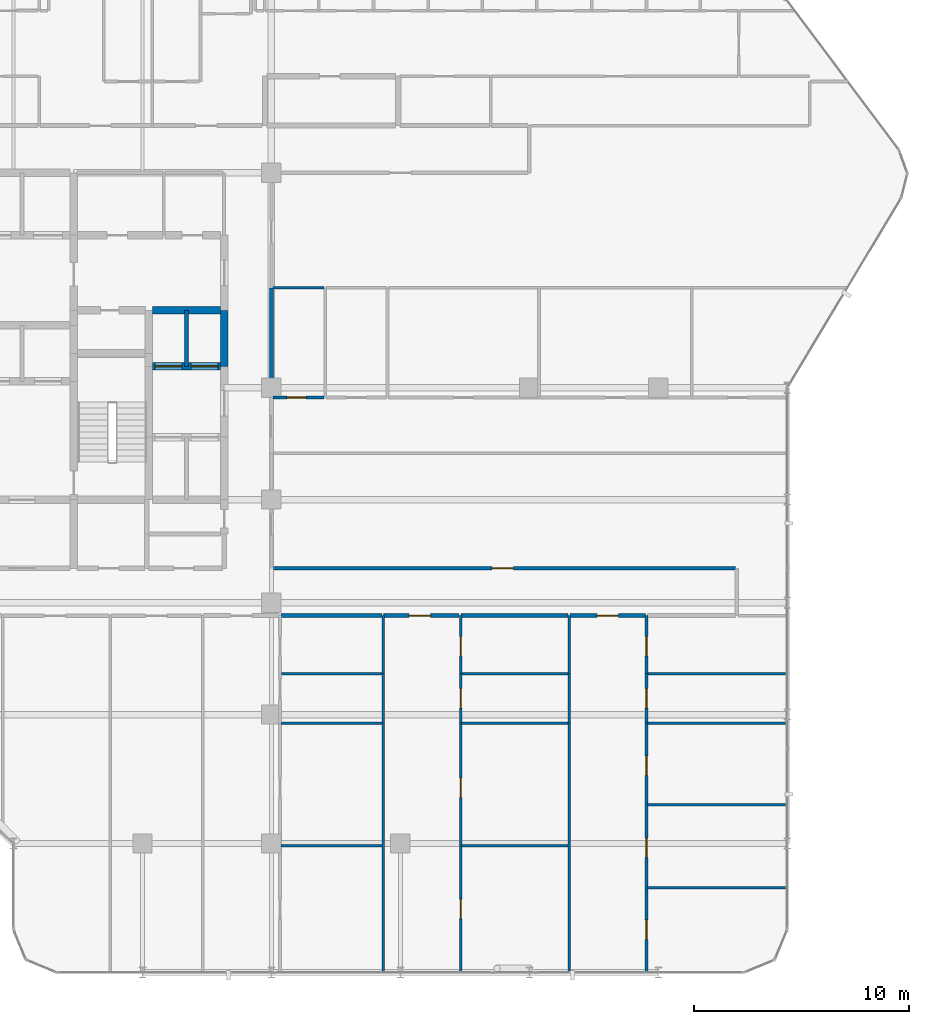
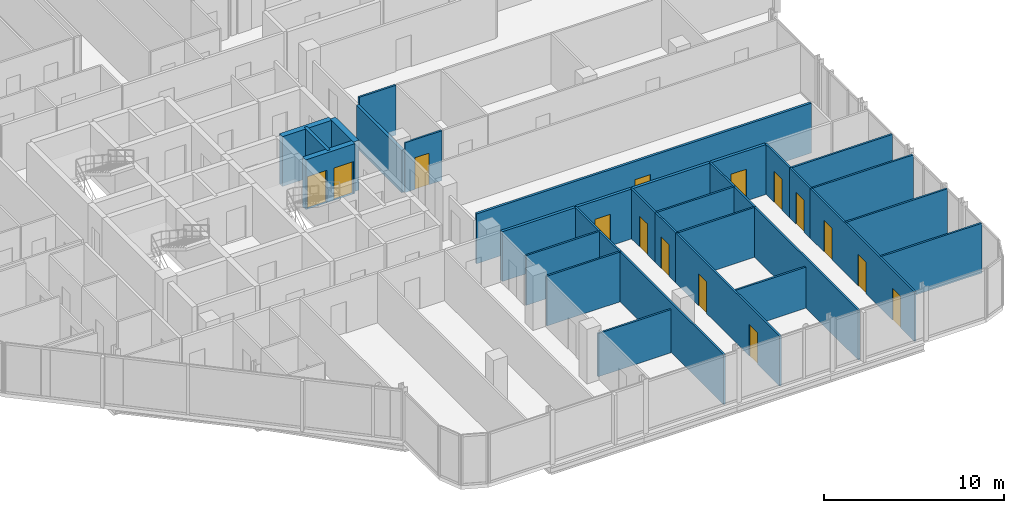
# One storey, part 27 of 31: 34 walls, 15 doors, 15 openings.
"""IFC4 building model written with IfcOpenShell, lengths in metres."""

import ifcopenshell
import ifcopenshell.guid

model = None  # the IFC model being written
_history = None  # IfcOwnerHistory: only IFC2X3 demands one
_inside = {}  # id of a spatial element -> (the spatial element, [elements in it])
_under = {}  # id of a project, library or spatial element -> (it, [spatial elements below it])
_declared = {}  # id of a project -> (the project, [libraries it declares])
_typed = {}  # id of a type object -> (the type object, [elements of that type])
_made_of = {}  # id of a material, layer set ... -> (it, [elements and type objects made of it])


def new_model(schema):
    """Start an empty IFC model of exactly this schema.

    Asked for "IFC4X3", IfcOpenShell would pick the latest addendum, in which some entities
    have other attributes; the version numbers below select the first issue.
    IFC2X3 requires an IfcOwnerHistory on every rooted entity: one is made here for all.
    """
    global model, _history
    if schema == "IFC4X3":
        model = ifcopenshell.file(schema_version=(4, 3, 0, 0))
    else:
        model = ifcopenshell.file(schema=schema)
    _inside.clear()
    _under.clear()
    _declared.clear()
    _typed.clear()
    _made_of.clear()
    _history = None
    if model.schema == "IFC2X3":
        org = make("IfcOrganization", Name="unknown")
        user = make(
            "IfcPersonAndOrganization",
            ThePerson=make("IfcPerson", FamilyName="unknown"),
            TheOrganization=org,
        )
        app = make(
            "IfcApplication",
            ApplicationDeveloper=org,
            Version="unknown",
            ApplicationFullName="unknown",
            ApplicationIdentifier="unknown",
        )
        _history = make(
            "IfcOwnerHistory",
            OwningUser=user,
            OwningApplication=app,
            ChangeAction="ADDED",
            CreationDate=0,
        )
    return model


def make(cls, **values):
    """One entity of the class cls with the attributes given. An attribute that is None is left unset."""
    return model.create_entity(
        cls, **{name: value for name, value in values.items() if value is not None}
    )


def rooted(cls, **values):
    """An entity with a GlobalId (a new one), such as an element, a storey or a relation."""
    return make(cls, GlobalId=ifcopenshell.guid.new(), OwnerHistory=_history, **values)


def si_unit(unit_type, name, prefix=None):
    """IfcSIUnit, for example si_unit("LENGTHUNIT", "METRE", prefix="MILLI")."""
    return make("IfcSIUnit", UnitType=unit_type, Prefix=prefix, Name=name)


def assignment(units):
    """IfcUnitAssignment: the units of a project."""
    return None if units is None else make("IfcUnitAssignment", Units=units)


def point(xyz):
    """IfcCartesianPoint."""
    return None if xyz is None else make("IfcCartesianPoint", Coordinates=xyz)


def direction(xyz):
    """IfcDirection."""
    return None if xyz is None else make("IfcDirection", DirectionRatios=xyz)


def frame(location, z_axis=None, x_axis=None):
    """IfcAxis2Placement3D, a coordinate frame: its origin and axes. An axis left out is left unset."""
    return make(
        "IfcAxis2Placement3D",
        Location=point(location),
        Axis=direction(z_axis),
        RefDirection=direction(x_axis),
    )


def frame_2d(location, x_axis=None):
    """IfcAxis2Placement2D, a coordinate frame in the plane: its origin and x axis."""
    return make(
        "IfcAxis2Placement2D", Location=point(location), RefDirection=direction(x_axis)
    )


def origin():
    """The frame at (0, 0, 0) with its axes left unset."""
    return frame((0.0, 0.0, 0.0))


def place(relative_to, where):
    """IfcLocalPlacement: puts the frame where relative to a parent placement (None: the world)."""
    return make(
        "IfcLocalPlacement", PlacementRelTo=relative_to, RelativePlacement=where
    )


def context(
    kind, dimensions, precision=None, world=None, true_north=None, identifier=None
):
    """IfcGeometricRepresentationContext, for example the 3D "Model" context."""
    return make(
        "IfcGeometricRepresentationContext",
        ContextIdentifier=identifier,
        ContextType=kind,
        CoordinateSpaceDimension=dimensions,
        Precision=precision,
        WorldCoordinateSystem=world,
        TrueNorth=true_north,
    )


def subcontext(parent, identifier, kind, view, scale=None):
    """IfcGeometricRepresentationSubContext, for example "Body" below "Model"."""
    return make(
        "IfcGeometricRepresentationSubContext",
        ContextIdentifier=identifier,
        ContextType=kind,
        ParentContext=parent,
        TargetScale=scale,
        TargetView=view,
    )


def project(units=None, contexts=None):
    """IfcProject with its units and contexts."""
    return rooted(
        "IfcProject",
        Name="project",
        RepresentationContexts=contexts,
        UnitsInContext=assignment(units),
    )


def spatial(cls, under=None, at=None, **own):
    """A site, building, storey or space (cls), placed at a placement, below another one or the project."""
    s = rooted(cls, ObjectPlacement=at, **own)
    if under is not None:
        _under.setdefault(under.id(), (under, []))[1].append(s)
    return s


def profile(cls, at=None, kind="AREA", **sizes):
    """A parametric profile (cls). Its sizes go by their IFC names, for example OverallWidth=200.0."""
    return make(cls, ProfileType=kind, Position=at, **sizes)


def rectangle(**sizes):
    """IfcRectangleProfileDef."""
    return profile("IfcRectangleProfileDef", **sizes)


def extrude(swept, where, along, depth):
    """IfcExtrudedAreaSolid: the profile swept, set in the frame where, extruded along a direction by depth."""
    return make(
        "IfcExtrudedAreaSolid",
        SweptArea=swept,
        Position=where,
        ExtrudedDirection=direction(along),
        Depth=depth,
    )


def shape(context_of_items, identifier, shape_type, items):
    """IfcShapeRepresentation: the items that make up one representation, for example the "Body"."""
    return make(
        "IfcShapeRepresentation",
        ContextOfItems=context_of_items,
        RepresentationIdentifier=identifier,
        RepresentationType=shape_type,
        Items=items,
    )


def material(Name=None, Category=None):
    """IfcMaterial."""
    return make("IfcMaterial", Name=Name, Category=Category)


def layer(
    of_material, thickness, ventilated=None, Name=None, Category=None, Priority=None
):
    """IfcMaterialLayer: one layer of a wall or slab, of a material (None: an air gap)."""
    return make(
        "IfcMaterialLayer",
        Material=of_material,
        LayerThickness=thickness,
        IsVentilated=ventilated,
        Name=Name,
        Category=Category,
        Priority=Priority,
    )


def layer_set(layers, Name=None):
    """IfcMaterialLayerSet."""
    return make("IfcMaterialLayerSet", MaterialLayers=layers, LayerSetName=Name)


def made_of(thing, what):
    """Note that an element or type object is made of a material, layer set ...; save() writes the relation."""
    if what is not None:
        _made_of.setdefault(what.id(), (what, []))[1].append(thing)
    return thing


def type_object(cls, material=None, **own):
    """A type object (cls), such as IfcWallType, which elements share."""
    return made_of(rooted(cls, **own), material)


def element(
    cls,
    number,
    at=None,
    inside=None,
    cuts=None,
    type_object=None,
    material=None,
    context=None,
    identifier="Body",
    shape_type=None,
    held_by="IfcProductDefinitionShape",
    body=None,
    shapes=None,
    **own,
):
    """One element of the class cls, such as IfcWall. Its Tag is "e" and its number.

    at: its placement. inside: the storey or other place that contains it. cuts: it is an
    opening in that element (IfcRelVoidsElement). A single representation is given by context,
    identifier, shape_type and body (its items); several are given by shapes. held_by: the class
    of the entity that holds the representations. save() writes the other relations.
    """
    e = rooted(cls, Tag="e%d" % number, ObjectPlacement=at, **own)
    if body is not None:
        shapes = [shape(context, identifier, shape_type, body)]
    if shapes is not None:
        e.Representation = make(held_by, Representations=shapes)
    if inside is not None:
        _inside.setdefault(inside.id(), (inside, []))[1].append(e)
    if cuts is not None:
        rooted(
            "IfcRelVoidsElement", RelatingBuildingElement=cuts, RelatedOpeningElement=e
        )
    if type_object is not None:
        _typed.setdefault(type_object.id(), (type_object, []))[1].append(e)
    return made_of(e, material)


def fill(opening, filler):
    """IfcRelFillsElement: the door or window that sits in an opening."""
    return rooted(
        "IfcRelFillsElement",
        RelatingOpeningElement=opening,
        RelatedBuildingElement=filler,
    )


def aggregate(whole, parts):
    """IfcRelAggregates: a whole, such as a stair, and the parts it consists of."""
    return rooted("IfcRelAggregates", RelatingObject=whole, RelatedObjects=parts)


def save(model, path):
    """Write the relations noted so far, then the file.

    IfcRelAggregates (storeys below a building ...), IfcRelContainedInSpatialStructure (elements
    in a storey), IfcRelDefinesByType, IfcRelAssociatesMaterial and IfcRelDeclares: one each for
    every whole, place, type object, material and project.
    """
    for whole, parts in _under.values():
        aggregate(whole, parts)
    for where, things in _inside.values():
        rooted(
            "IfcRelContainedInSpatialStructure",
            RelatedElements=things,
            RelatingStructure=where,
        )
    for kind, things in _typed.values():
        rooted("IfcRelDefinesByType", RelatedObjects=things, RelatingType=kind)
    for what, things in _made_of.values():
        rooted("IfcRelAssociatesMaterial", RelatedObjects=things, RelatingMaterial=what)
    for by, libraries in _declared.values():
        rooted("IfcRelDeclares", RelatingContext=by, RelatedDefinitions=libraries)
    model.write(path)


model = new_model("IFC4")

# Units and contexts
model_context = context("Model", 3, precision=1e-05, world=origin(), true_north=direction((0.0, 1.0)))
body_context = subcontext(model_context, "Body", "Model", "MODEL_VIEW")
ifc_project = project(units=[si_unit("LENGTHUNIT", "METRE"), si_unit("AREAUNIT", "SQUARE_METRE"), si_unit("VOLUMEUNIT", "CUBIC_METRE"), si_unit("PLANEANGLEUNIT", "RADIAN"), si_unit("MASSUNIT", "GRAM", prefix="KILO")], contexts=[model_context])

# Site, building, storey
site_placement = place(None, origin())
site = spatial("IfcSite", under=ifc_project, at=site_placement, CompositionType="ELEMENT")
building_placement = place(site_placement, origin())
building = spatial("IfcBuilding", under=site, at=building_placement, Name="Keshet Zoharim Tower", CompositionType="ELEMENT")
storey_placement = place(building_placement, frame((0.0, 0.0, 148.300048828125)))
storey = spatial("IfcBuildingStorey", under=building, at=storey_placement, Name="L36", CompositionType="ELEMENT", Elevation=148.300048828125)

# Wall, opening, door
ifc_material_1 = material(Name="Gypsum Plasterboard", Category="gypsum")
ifc_layer_1 = layer(ifc_material_1, 0.14990234375)
ifc_layer_set_1 = layer_set([ifc_layer_1], Name="Gypsum Plasterboard")
wall_type_1 = type_object("IfcWallType", Name="WL-CLIN-150", PredefinedType="STANDARD", material=ifc_layer_set_1)
wall_1_placement = place(storey_placement, frame((33.070068359375, 19.5, 0.0), z_axis=(0.0, 0.0, 1.0), x_axis=(1.0, 0.0, 0.0)))
wall_1 = element("IfcWall", 1, at=wall_1_placement, inside=storey, type_object=wall_type_1, Name="L36 Interior Wall 136", PredefinedType="STANDARD", context=body_context, shape_type="SweptSolid", body=[
    extrude(rectangle(XDim=21.510009765625, YDim=0.14990234375, at=frame_2d((10.7548828125, 0.0))), origin(), (0.0, 0.0, 1.0), 3.385009765625),
])
opening_1_placement = place(wall_1_placement, frame((10.18505859375, 0.0, 0.0)))
opening_1 = element("IfcOpeningElement", 2, at=opening_1_placement, cuts=wall_1, Name="Opening D-F310", PredefinedType="OPENING", context=body_context, shape_type="SweptSolid", body=[
    extrude(rectangle(XDim=1.0, YDim=2.14990234375, at=frame_2d((0.5, 1.074951171875))), frame((0.0, 0.0849609375, 0.0), z_axis=(0.0, -1.0, 0.0), x_axis=(1.0, 0.0, 0.0)), (0.0, 0.0, 1.0), 0.169921875),
])
ifc_material_2 = material(Name="Hardwood Timber", Category="wood")
door_type_1 = type_object("IfcDoorType", Name="DR-FD30-100", OperationType="NOTDEFINED", PredefinedType="DOOR", material=ifc_material_2)
door_1_placement = place(opening_1_placement, origin())
door_1 = element("IfcDoor", 3, at=door_1_placement, inside=storey, type_object=door_type_1, Name="L36 South East Residents Services Suite Door 1", OperationType="SINGLE_SWING_LEFT", OverallHeight=2.14990234375, OverallWidth=1.0, PredefinedType="DOOR", context=body_context, shape_type="SweptSolid", body=[
    extrude(rectangle(XDim=1.0, YDim=2.14990234375, at=frame_2d((0.5, 1.074951171875))), frame((0.0, 0.02490234375, 0.0), z_axis=(0.0, -1.0, 0.0), x_axis=(1.0, 0.0, 0.0)), (0.0, 0.0, 1.0), 0.050048828125),
])
fill(opening_1, door_1)

# Wall
ifc_material_3 = material(Name="Concrete C60/75", Category="concrete")
ifc_layer_2 = layer(ifc_material_3, 0.35009765625)
ifc_layer_set_2 = layer_set([ifc_layer_2], Name="Concrete C60/75")
wall_type_2 = type_object("IfcWallType", Name="WL-CORE-350", PredefinedType="SHEAR", material=ifc_layer_set_2)
wall_2_placement = place(storey_placement, frame((30.800048828125, 28.89990234375, 0.0), z_axis=(0.0, 0.0, 1.0), x_axis=(0.0, 1.0, 0.0)))
element("IfcWall", 4, at=wall_2_placement, inside=storey, type_object=wall_type_2, Name="L36 Core Shear Wall 063", PredefinedType="SHEAR", context=body_context, shape_type="SweptSolid", body=[
    extrude(rectangle(XDim=2.60009765625, YDim=0.35009765625, at=frame_2d((1.300048828125, 0.0))), origin(), (0.0, 0.0, 1.0), 3.385009765625),
])

# Wall, openings, doors
wall_3_placement = place(storey_placement, frame((27.4599609375, 28.89990234375, 0.0), z_axis=(0.0, 0.0, 1.0), x_axis=(1.0, 0.0, 0.0)))
wall_3 = element("IfcWall", 5, at=wall_3_placement, inside=storey, type_object=wall_type_2, Name="L36 Core Shear Wall 157", PredefinedType="SHEAR", context=body_context, shape_type="SweptSolid", body=[
    extrude(rectangle(XDim=3.179931640625, YDim=0.35009765625, at=frame_2d((1.58984375, 0.0))), origin(), (0.0, 0.0, 1.0), 3.385009765625),
])
opening_2_placement = place(wall_3_placement, frame((0.1201171875, 0.0, 0.0)))
opening_2 = element("IfcOpeningElement", 6, at=opening_2_placement, cuts=wall_3, Name="Opening LD-01", PredefinedType="OPENING", context=body_context, shape_type="SweptSolid", body=[
    extrude(rectangle(XDim=1.25, YDim=2.199951171875, at=frame_2d((0.625, 1.10009765625))), frame((0.0, 0.18505859375, 0.0), z_axis=(0.0, -1.0, 0.0), x_axis=(1.0, 0.0, 0.0)), (0.0, 0.0, 1.0), 0.3701171875),
])
opening_3_placement = place(wall_3_placement, frame((1.81005859375, 0.0, 0.0)))
opening_3 = element("IfcOpeningElement", 7, at=opening_3_placement, cuts=wall_3, Name="Opening LD-01", PredefinedType="OPENING", context=body_context, shape_type="SweptSolid", body=[
    extrude(rectangle(XDim=1.25, YDim=2.199951171875, at=frame_2d((0.625, 1.10009765625))), frame((0.0, 0.18505859375, 0.0), z_axis=(0.0, -1.0, 0.0), x_axis=(1.0, 0.0, 0.0)), (0.0, 0.0, 1.0), 0.3701171875),
])
ifc_material_4 = material(Name="Steel S355", Category="steel")
door_type_2 = type_object("IfcDoorType", Name="DR-LD01-125", OperationType="DOUBLE_DOOR_SLIDING", PredefinedType="DOOR", material=ifc_material_4)
door_2_placement = place(opening_2_placement, origin())
door_2 = element("IfcDoor", 8, at=door_2_placement, inside=storey, type_object=door_type_2, Name="L36 Passenger Lift Landing Door LF-05", OperationType="DOUBLE_DOOR_SLIDING", OverallHeight=2.199951171875, OverallWidth=1.25, PredefinedType="DOOR", context=body_context, shape_type="SweptSolid", body=[
    extrude(rectangle(XDim=1.25, YDim=2.199951171875, at=frame_2d((0.625, 1.10009765625))), frame((0.0, 0.02490234375, 0.0), z_axis=(0.0, -1.0, 0.0), x_axis=(1.0, 0.0, 0.0)), (0.0, 0.0, 1.0), 0.050048828125),
])
fill(opening_2, door_2)
door_3_placement = place(opening_3_placement, origin())
door_3 = element("IfcDoor", 9, at=door_3_placement, inside=storey, type_object=door_type_2, Name="L36 Passenger Lift Landing Door LF-06", OperationType="DOUBLE_DOOR_SLIDING", OverallHeight=2.199951171875, OverallWidth=1.25, PredefinedType="DOOR", context=body_context, shape_type="SweptSolid", body=[
    extrude(rectangle(XDim=1.25, YDim=2.199951171875, at=frame_2d((0.625, 1.10009765625))), frame((0.0, 0.02490234375, 0.0), z_axis=(0.0, -1.0, 0.0), x_axis=(1.0, 0.0, 0.0)), (0.0, 0.0, 1.0), 0.050048828125),
])
fill(opening_3, door_3)

# Walls
wall_4_placement = place(storey_placement, frame((27.4599609375, 31.5, 0.0), z_axis=(0.0, 0.0, 1.0), x_axis=(1.0, 0.0, 0.0)))
element("IfcWall", 10, at=wall_4_placement, inside=storey, type_object=wall_type_2, Name="L36 Core Shear Wall 165", PredefinedType="SHEAR", context=body_context, shape_type="SweptSolid", body=[
    extrude(rectangle(XDim=3.179931640625, YDim=0.35009765625, at=frame_2d((1.58984375, 0.0))), origin(), (0.0, 0.0, 1.0), 3.385009765625),
])
ifc_layer_3 = layer(ifc_material_1, 0.179931640625)
ifc_layer_set_3 = layer_set([ifc_layer_3], Name="Gypsum Plasterboard")
wall_type_3 = type_object("IfcWallType", Name="WL-CORR-180", PredefinedType="STANDARD", material=ifc_layer_set_3)
wall_5_placement = place(storey_placement, frame((33.0, 27.469970703125, 0.0), z_axis=(0.0, 0.0, 1.0), x_axis=(0.0, 1.0, 0.0)))
element("IfcWall", 11, at=wall_5_placement, inside=storey, type_object=wall_type_3, Name="L36 Interior Wall 072", PredefinedType="STANDARD", context=body_context, shape_type="SweptSolid", body=[
    extrude(rectangle(XDim=5.070068359375, YDim=0.179931640625, at=frame_2d((2.53515625, 0.0))), origin(), (0.0, 0.0, 1.0), 2.885009765625),
])
wall_6_placement = place(storey_placement, frame((33.445068359375, 17.300048828125, 0.0), z_axis=(0.0, 0.0, 1.0), x_axis=(1.0, 0.0, 0.0)))
element("IfcWall", 12, at=wall_6_placement, inside=storey, type_object=wall_type_3, Name="L36 Interior Wall 126", PredefinedType="STANDARD", context=body_context, shape_type="SweptSolid", body=[
    extrude(rectangle(XDim=4.68994140625, YDim=0.179931640625, at=frame_2d((2.344970703125, 0.0))), origin(), (0.0, 0.0, 1.0), 3.385009765625),
])

# Wall, opening, door
wall_7_placement = place(storey_placement, frame((38.22509765625, 17.300048828125, 0.0), z_axis=(0.0, 0.0, 1.0), x_axis=(1.0, 0.0, 0.0)))
wall_7 = element("IfcWall", 13, at=wall_7_placement, inside=storey, type_object=wall_type_3, Name="L36 Interior Wall 127", PredefinedType="STANDARD", context=body_context, shape_type="SweptSolid", body=[
    extrude(rectangle(XDim=3.510009765625, YDim=0.179931640625, at=frame_2d((1.7548828125, 0.0))), origin(), (0.0, 0.0, 1.0), 3.385009765625),
])
opening_4_placement = place(wall_7_placement, frame((1.18505859375, 0.0, 0.0)))
opening_4 = element("IfcOpeningElement", 14, at=opening_4_placement, cuts=wall_7, Name="Opening D-F310", PredefinedType="OPENING", context=body_context, shape_type="SweptSolid", body=[
    extrude(rectangle(XDim=1.0, YDim=2.14990234375, at=frame_2d((0.5, 1.074951171875))), frame((0.0, 0.10009765625, 0.0), z_axis=(0.0, -1.0, 0.0), x_axis=(1.0, 0.0, 0.0)), (0.0, 0.0, 1.0), 0.199951171875),
])
door_4_placement = place(opening_4_placement, origin())
door_4 = element("IfcDoor", 15, at=door_4_placement, inside=storey, type_object=door_type_1, Name="Apartment 3603 Entrance Door", OperationType="SINGLE_SWING_LEFT", OverallHeight=2.14990234375, OverallWidth=1.0, PredefinedType="DOOR", context=body_context, shape_type="SweptSolid", body=[
    extrude(rectangle(XDim=1.0, YDim=2.14990234375, at=frame_2d((0.5, 1.074951171875))), frame((0.0, 0.02490234375, 0.0), z_axis=(0.0, -1.0, 0.0), x_axis=(1.0, 0.0, 0.0)), (0.0, 0.0, 1.0), 0.050048828125),
])
fill(opening_4, door_4)

# Wall
wall_8_placement = place(storey_placement, frame((41.824951171875, 17.300048828125, 0.0), z_axis=(0.0, 0.0, 1.0), x_axis=(1.0, 0.0, 0.0)))
element("IfcWall", 16, at=wall_8_placement, inside=storey, type_object=wall_type_3, Name="L36 Interior Wall 128", PredefinedType="STANDARD", context=body_context, shape_type="SweptSolid", body=[
    extrude(rectangle(XDim=4.969970703125, YDim=0.179931640625, at=frame_2d((2.48486328125, 0.0))), origin(), (0.0, 0.0, 1.0), 3.385009765625),
])

# Wall, opening, door
wall_9_placement = place(storey_placement, frame((46.885009765625, 17.300048828125, 0.0), z_axis=(0.0, 0.0, 1.0), x_axis=(1.0, 0.0, 0.0)))
wall_9 = element("IfcWall", 17, at=wall_9_placement, inside=storey, type_object=wall_type_3, Name="L36 Interior Wall 129", PredefinedType="STANDARD", context=body_context, shape_type="SweptSolid", body=[
    extrude(rectangle(XDim=3.510009765625, YDim=0.179931640625, at=frame_2d((1.7548828125, 0.0))), origin(), (0.0, 0.0, 1.0), 3.385009765625),
])
opening_5_placement = place(wall_9_placement, frame((1.2548828125, 0.0, 0.0)))
opening_5 = element("IfcOpeningElement", 18, at=opening_5_placement, cuts=wall_9, Name="Opening D-F310", PredefinedType="OPENING", context=body_context, shape_type="SweptSolid", body=[
    extrude(rectangle(XDim=1.0, YDim=2.14990234375, at=frame_2d((0.5, 1.074951171875))), frame((0.0, 0.10009765625, 0.0), z_axis=(0.0, -1.0, 0.0), x_axis=(1.0, 0.0, 0.0)), (0.0, 0.0, 1.0), 0.199951171875),
])
door_5_placement = place(opening_5_placement, origin())
door_5 = element("IfcDoor", 19, at=door_5_placement, inside=storey, type_object=door_type_1, Name="Apartment 3604 Entrance Door", OperationType="SINGLE_SWING_RIGHT", OverallHeight=2.14990234375, OverallWidth=1.0, PredefinedType="DOOR", context=body_context, shape_type="SweptSolid", body=[
    extrude(rectangle(XDim=1.0, YDim=2.14990234375, at=frame_2d((0.5, 1.074951171875))), frame((0.0, 0.02490234375, 0.0), z_axis=(0.0, -1.0, 0.0), x_axis=(1.0, 0.0, 0.0)), (0.0, 0.0, 1.0), 0.050048828125),
])
fill(opening_5, door_5)

# Walls
ifc_material_5 = material(Name="Concrete C50/60", Category="concrete")
ifc_layer_4 = layer(ifc_material_5, 0.199951171875)
ifc_layer_set_4 = layer_set([ifc_layer_4], Name="Concrete C50/60")
wall_type_4 = type_object("IfcWallType", Name="WL-FIRE-200", PredefinedType="STANDARD", material=ifc_layer_set_4)
wall_10_placement = place(storey_placement, frame((29.050048828125, 28.89990234375, 0.0), z_axis=(0.0, 0.0, 1.0), x_axis=(0.0, 1.0, 0.0)))
element("IfcWall", 20, at=wall_10_placement, inside=storey, type_object=wall_type_4, Name="L36 Interior Wall 055", PredefinedType="STANDARD", context=body_context, shape_type="SweptSolid", body=[
    extrude(rectangle(XDim=2.60009765625, YDim=0.199951171875, at=frame_2d((1.300048828125, 0.0))), origin(), (0.0, 0.0, 1.0), 3.385009765625),
])
ifc_layer_5 = layer(ifc_material_1, 0.1201171875)
ifc_layer_set_5 = layer_set([ifc_layer_5], Name="Gypsum Plasterboard")
wall_type_5 = type_object("IfcWallType", Name="WL-PART-120", PredefinedType="PARTITIONING", material=ifc_layer_set_5)
wall_11_placement = place(storey_placement, frame((38.199951171875, 0.7099609375, 0.0), z_axis=(0.0, 0.0, 1.0), x_axis=(0.0, 1.0, 0.0)))
element("IfcWall", 21, at=wall_11_placement, inside=storey, type_object=wall_type_5, Name="L36 Interior Wall 080", PredefinedType="PARTITIONING", context=body_context, shape_type="SweptSolid", body=[
    extrude(rectangle(XDim=11.590087890625, YDim=0.1201171875, at=frame_2d((5.794921875, 0.0))), origin(), (0.0, 0.0, 1.0), 3.385009765625),
])
wall_12_placement = place(storey_placement, frame((38.199951171875, 12.300048828125, 0.0), z_axis=(0.0, 0.0, 1.0), x_axis=(0.0, 1.0, 0.0)))
element("IfcWall", 22, at=wall_12_placement, inside=storey, type_object=wall_type_5, Name="L36 Interior Wall 081", PredefinedType="PARTITIONING", context=body_context, shape_type="SweptSolid", body=[
    extrude(rectangle(XDim=2.300048828125, YDim=0.1201171875, at=frame_2d((1.14990234375, 0.0))), origin(), (0.0, 0.0, 1.0), 3.385009765625),
])

# Wall, openings, doors
wall_13_placement = place(storey_placement, frame((41.800048828125, 0.7099609375, 0.0), z_axis=(0.0, 0.0, 1.0), x_axis=(0.0, 1.0, 0.0)))
wall_13 = element("IfcWall", 23, at=wall_13_placement, inside=storey, type_object=wall_type_5, Name="L36 Interior Wall 086", PredefinedType="PARTITIONING", context=body_context, shape_type="SweptSolid", body=[
    extrude(rectangle(XDim=11.590087890625, YDim=0.1201171875, at=frame_2d((5.794921875, 0.0))), origin(), (0.0, 0.0, 1.0), 3.385009765625),
])
opening_6_placement = place(wall_13_placement, frame((2.489990234375, 0.0, 0.0)))
opening_6 = element("IfcOpeningElement", 24, at=opening_6_placement, cuts=wall_13, Name="Opening D-IN90", PredefinedType="OPENING", context=body_context, shape_type="SweptSolid", body=[
    extrude(rectangle(XDim=0.89990234375, YDim=2.14990234375, at=frame_2d((0.449951171875, 1.074951171875))), frame((0.0, 0.070068359375, 0.0), z_axis=(0.0, -1.0, 0.0), x_axis=(1.0, 0.0, 0.0)), (0.0, 0.0, 1.0), 0.14013671875),
])
opening_7_placement = place(wall_13_placement, frame((8.133056640625, 0.0, 0.0)))
opening_7 = element("IfcOpeningElement", 25, at=opening_7_placement, cuts=wall_13, Name="Opening D-IN90", PredefinedType="OPENING", context=body_context, shape_type="SweptSolid", body=[
    extrude(rectangle(XDim=0.89990234375, YDim=2.14990234375, at=frame_2d((0.449951171875, 1.074951171875))), frame((0.0, 0.070068359375, 0.0), z_axis=(0.0, -1.0, 0.0), x_axis=(1.0, 0.0, 0.0)), (0.0, 0.0, 1.0), 0.14013671875),
])
door_type_3 = type_object("IfcDoorType", Name="DR-INT-090", OperationType="NOTDEFINED", PredefinedType="DOOR", material=ifc_material_2)
door_6_placement = place(opening_6_placement, origin())
door_6 = element("IfcDoor", 26, at=door_6_placement, inside=storey, type_object=door_type_3, Name="Apartment 3603 Bedroom 1 Door", OperationType="SINGLE_SWING_LEFT", OverallHeight=2.14990234375, OverallWidth=0.89990234375, PredefinedType="DOOR", context=body_context, shape_type="SweptSolid", body=[
    extrude(rectangle(XDim=0.89990234375, YDim=2.14990234375, at=frame_2d((0.449951171875, 1.074951171875))), frame((0.0, 0.02490234375, 0.0), z_axis=(0.0, -1.0, 0.0), x_axis=(1.0, 0.0, 0.0)), (0.0, 0.0, 1.0), 0.050048828125),
])
fill(opening_6, door_6)
door_7_placement = place(opening_7_placement, origin())
door_7 = element("IfcDoor", 27, at=door_7_placement, inside=storey, type_object=door_type_3, Name="Apartment 3603 Bedroom 2 Door", OperationType="SINGLE_SWING_RIGHT", OverallHeight=2.14990234375, OverallWidth=0.89990234375, PredefinedType="DOOR", context=body_context, shape_type="SweptSolid", body=[
    extrude(rectangle(XDim=0.89990234375, YDim=2.14990234375, at=frame_2d((0.449951171875, 1.074951171875))), frame((0.0, 0.02490234375, 0.0), z_axis=(0.0, -1.0, 0.0), x_axis=(1.0, 0.0, 0.0)), (0.0, 0.0, 1.0), 0.050048828125),
])
fill(opening_7, door_7)

# Wall, opening, door
wall_14_placement = place(storey_placement, frame((41.800048828125, 12.300048828125, 0.0), z_axis=(0.0, 0.0, 1.0), x_axis=(0.0, 1.0, 0.0)))
wall_14 = element("IfcWall", 28, at=wall_14_placement, inside=storey, type_object=wall_type_5, Name="L36 Interior Wall 087", PredefinedType="PARTITIONING", context=body_context, shape_type="SweptSolid", body=[
    extrude(rectangle(XDim=2.300048828125, YDim=0.1201171875, at=frame_2d((1.14990234375, 0.0))), origin(), (0.0, 0.0, 1.0), 3.385009765625),
])
opening_8_placement = place(wall_14_placement, frame((0.699951171875, 0.0, 0.0)))
opening_8 = element("IfcOpeningElement", 29, at=opening_8_placement, cuts=wall_14, Name="Opening D-IN90", PredefinedType="OPENING", context=body_context, shape_type="SweptSolid", body=[
    extrude(rectangle(XDim=0.89990234375, YDim=2.14990234375, at=frame_2d((0.449951171875, 1.074951171875))), frame((0.0, 0.070068359375, 0.0), z_axis=(0.0, -1.0, 0.0), x_axis=(1.0, 0.0, 0.0)), (0.0, 0.0, 1.0), 0.14013671875),
])
door_8_placement = place(opening_8_placement, origin())
door_8 = element("IfcDoor", 30, at=door_8_placement, inside=storey, type_object=door_type_3, Name="Apartment 3603 Kitchen Door", OperationType="SINGLE_SWING_LEFT", OverallHeight=2.14990234375, OverallWidth=0.89990234375, PredefinedType="DOOR", context=body_context, shape_type="SweptSolid", body=[
    extrude(rectangle(XDim=0.89990234375, YDim=2.14990234375, at=frame_2d((0.449951171875, 1.074951171875))), frame((0.0, 0.02490234375, 0.0), z_axis=(0.0, -1.0, 0.0), x_axis=(1.0, 0.0, 0.0)), (0.0, 0.0, 1.0), 0.050048828125),
])
fill(opening_8, door_8)

# Walls
wall_15_placement = place(storey_placement, frame((46.85009765625, 0.7099609375, 0.0), z_axis=(0.0, 0.0, 1.0), x_axis=(0.0, 1.0, 0.0)))
element("IfcWall", 31, at=wall_15_placement, inside=storey, type_object=wall_type_5, Name="L36 Interior Wall 094", PredefinedType="PARTITIONING", context=body_context, shape_type="SweptSolid", body=[
    extrude(rectangle(XDim=11.590087890625, YDim=0.1201171875, at=frame_2d((5.794921875, 0.0))), origin(), (0.0, 0.0, 1.0), 3.385009765625),
])
wall_16_placement = place(storey_placement, frame((46.85009765625, 12.300048828125, 0.0), z_axis=(0.0, 0.0, 1.0), x_axis=(0.0, 1.0, 0.0)))
element("IfcWall", 32, at=wall_16_placement, inside=storey, type_object=wall_type_5, Name="L36 Interior Wall 095", PredefinedType="PARTITIONING", context=body_context, shape_type="SweptSolid", body=[
    extrude(rectangle(XDim=2.300048828125, YDim=0.1201171875, at=frame_2d((1.14990234375, 0.0))), origin(), (0.0, 0.0, 1.0), 3.385009765625),
])

# Wall, openings, doors
wall_17_placement = place(storey_placement, frame((50.449951171875, 0.7099609375, 0.0), z_axis=(0.0, 0.0, 1.0), x_axis=(0.0, 1.0, 0.0)))
wall_17 = element("IfcWall", 33, at=wall_17_placement, inside=storey, type_object=wall_type_5, Name="L36 Interior Wall 098", PredefinedType="PARTITIONING", context=body_context, shape_type="SweptSolid", body=[
    extrude(rectangle(XDim=11.590087890625, YDim=0.1201171875, at=frame_2d((5.794921875, 0.0))), origin(), (0.0, 0.0, 1.0), 3.385009765625),
])
opening_9_placement = place(wall_17_placement, frame((1.534912109375, 0.0, 0.0)))
opening_9 = element("IfcOpeningElement", 34, at=opening_9_placement, cuts=wall_17, Name="Opening D-IN90", PredefinedType="OPENING", context=body_context, shape_type="SweptSolid", body=[
    extrude(rectangle(XDim=0.89990234375, YDim=2.14990234375, at=frame_2d((0.449951171875, 1.074951171875))), frame((0.0, 0.070068359375, 0.0), z_axis=(0.0, -1.0, 0.0), x_axis=(1.0, 0.0, 0.0)), (0.0, 0.0, 1.0), 0.14013671875),
])
opening_10_placement = place(wall_17_placement, frame((5.34912109375, 0.0, 0.0)))
opening_10 = element("IfcOpeningElement", 35, at=opening_10_placement, cuts=wall_17, Name="Opening D-IN90", PredefinedType="OPENING", context=body_context, shape_type="SweptSolid", body=[
    extrude(rectangle(XDim=0.89990234375, YDim=2.14990234375, at=frame_2d((0.449951171875, 1.074951171875))), frame((0.0, 0.070068359375, 0.0), z_axis=(0.0, -1.0, 0.0), x_axis=(1.0, 0.0, 0.0)), (0.0, 0.0, 1.0), 0.14013671875),
])
opening_11_placement = place(wall_17_placement, frame((9.158935546875, 0.0, 0.0)))
opening_11 = element("IfcOpeningElement", 36, at=opening_11_placement, cuts=wall_17, Name="Opening D-IN90", PredefinedType="OPENING", context=body_context, shape_type="SweptSolid", body=[
    extrude(rectangle(XDim=0.89990234375, YDim=2.14990234375, at=frame_2d((0.449951171875, 1.074951171875))), frame((0.0, 0.070068359375, 0.0), z_axis=(0.0, -1.0, 0.0), x_axis=(1.0, 0.0, 0.0)), (0.0, 0.0, 1.0), 0.14013671875),
])
door_9_placement = place(opening_9_placement, origin())
door_9 = element("IfcDoor", 37, at=door_9_placement, inside=storey, type_object=door_type_3, Name="Apartment 3604 Bedroom 1 Door", OperationType="SINGLE_SWING_LEFT", OverallHeight=2.14990234375, OverallWidth=0.89990234375, PredefinedType="DOOR", context=body_context, shape_type="SweptSolid", body=[
    extrude(rectangle(XDim=0.89990234375, YDim=2.14990234375, at=frame_2d((0.449951171875, 1.074951171875))), frame((0.0, 0.02490234375, 0.0), z_axis=(0.0, -1.0, 0.0), x_axis=(1.0, 0.0, 0.0)), (0.0, 0.0, 1.0), 0.050048828125),
])
fill(opening_9, door_9)
door_10_placement = place(opening_10_placement, origin())
door_10 = element("IfcDoor", 38, at=door_10_placement, inside=storey, type_object=door_type_3, Name="Apartment 3604 Bedroom 2 Door", OperationType="SINGLE_SWING_RIGHT", OverallHeight=2.14990234375, OverallWidth=0.89990234375, PredefinedType="DOOR", context=body_context, shape_type="SweptSolid", body=[
    extrude(rectangle(XDim=0.89990234375, YDim=2.14990234375, at=frame_2d((0.449951171875, 1.074951171875))), frame((0.0, 0.02490234375, 0.0), z_axis=(0.0, -1.0, 0.0), x_axis=(1.0, 0.0, 0.0)), (0.0, 0.0, 1.0), 0.050048828125),
])
fill(opening_10, door_10)
door_11_placement = place(opening_11_placement, origin())
door_11 = element("IfcDoor", 39, at=door_11_placement, inside=storey, type_object=door_type_3, Name="Apartment 3604 Bedroom 3 Door", OperationType="SINGLE_SWING_LEFT", OverallHeight=2.14990234375, OverallWidth=0.89990234375, PredefinedType="DOOR", context=body_context, shape_type="SweptSolid", body=[
    extrude(rectangle(XDim=0.89990234375, YDim=2.14990234375, at=frame_2d((0.449951171875, 1.074951171875))), frame((0.0, 0.02490234375, 0.0), z_axis=(0.0, -1.0, 0.0), x_axis=(1.0, 0.0, 0.0)), (0.0, 0.0, 1.0), 0.050048828125),
])
fill(opening_11, door_11)

# Wall, opening, door
wall_18_placement = place(storey_placement, frame((50.449951171875, 12.300048828125, 0.0), z_axis=(0.0, 0.0, 1.0), x_axis=(0.0, 1.0, 0.0)))
wall_18 = element("IfcWall", 40, at=wall_18_placement, inside=storey, type_object=wall_type_5, Name="L36 Interior Wall 099", PredefinedType="PARTITIONING", context=body_context, shape_type="SweptSolid", body=[
    extrude(rectangle(XDim=2.300048828125, YDim=0.1201171875, at=frame_2d((1.14990234375, 0.0))), origin(), (0.0, 0.0, 1.0), 3.385009765625),
])
opening_12_placement = place(wall_18_placement, frame((0.699951171875, 0.0, 0.0)))
opening_12 = element("IfcOpeningElement", 41, at=opening_12_placement, cuts=wall_18, Name="Opening D-IN90", PredefinedType="OPENING", context=body_context, shape_type="SweptSolid", body=[
    extrude(rectangle(XDim=0.89990234375, YDim=2.14990234375, at=frame_2d((0.449951171875, 1.074951171875))), frame((0.0, 0.070068359375, 0.0), z_axis=(0.0, -1.0, 0.0), x_axis=(1.0, 0.0, 0.0)), (0.0, 0.0, 1.0), 0.14013671875),
])
door_12_placement = place(opening_12_placement, origin())
door_12 = element("IfcDoor", 42, at=door_12_placement, inside=storey, type_object=door_type_3, Name="Apartment 3604 Kitchen Door", OperationType="SINGLE_SWING_RIGHT", OverallHeight=2.14990234375, OverallWidth=0.89990234375, PredefinedType="DOOR", context=body_context, shape_type="SweptSolid", body=[
    extrude(rectangle(XDim=0.89990234375, YDim=2.14990234375, at=frame_2d((0.449951171875, 1.074951171875))), frame((0.0, 0.02490234375, 0.0), z_axis=(0.0, -1.0, 0.0), x_axis=(1.0, 0.0, 0.0)), (0.0, 0.0, 1.0), 0.050048828125),
])
fill(opening_12, door_12)

# Walls
wall_19_placement = place(storey_placement, frame((50.485107421875, 4.64990234375, 0.0), z_axis=(0.0, 0.0, 1.0), x_axis=(1.0, 0.0, 0.0)))
element("IfcWall", 43, at=wall_19_placement, inside=storey, type_object=wall_type_5, Name="L36 Interior Wall 107", PredefinedType="PARTITIONING", context=body_context, shape_type="SweptSolid", body=[
    extrude(rectangle(XDim=6.5048828125, YDim=0.1201171875, at=frame_2d((3.25244140625, 0.0))), origin(), (0.0, 0.0, 1.0), 3.385009765625),
])
wall_20_placement = place(storey_placement, frame((33.445068359375, 6.60009765625, 0.0), z_axis=(0.0, 0.0, 1.0), x_axis=(1.0, 0.0, 0.0)))
element("IfcWall", 44, at=wall_20_placement, inside=storey, type_object=wall_type_5, Name="L36 Interior Wall 108", PredefinedType="PARTITIONING", context=body_context, shape_type="SweptSolid", body=[
    extrude(rectangle(XDim=4.68994140625, YDim=0.1201171875, at=frame_2d((2.344970703125, 0.0))), origin(), (0.0, 0.0, 1.0), 2.93505859375),
])
wall_21_placement = place(storey_placement, frame((41.824951171875, 6.60009765625, 0.0), z_axis=(0.0, 0.0, 1.0), x_axis=(1.0, 0.0, 0.0)))
element("IfcWall", 45, at=wall_21_placement, inside=storey, type_object=wall_type_5, Name="L36 Interior Wall 109", PredefinedType="PARTITIONING", context=body_context, shape_type="SweptSolid", body=[
    extrude(rectangle(XDim=4.969970703125, YDim=0.1201171875, at=frame_2d((2.48486328125, 0.0))), origin(), (0.0, 0.0, 1.0), 2.784912109375),
])
wall_22_placement = place(storey_placement, frame((50.485107421875, 8.5, 0.0), z_axis=(0.0, 0.0, 1.0), x_axis=(1.0, 0.0, 0.0)))
element("IfcWall", 46, at=wall_22_placement, inside=storey, type_object=wall_type_5, Name="L36 Interior Wall 110", PredefinedType="PARTITIONING", context=body_context, shape_type="SweptSolid", body=[
    extrude(rectangle(XDim=6.5048828125, YDim=0.1201171875, at=frame_2d((3.25244140625, 0.0))), origin(), (0.0, 0.0, 1.0), 3.385009765625),
])
wall_23_placement = place(storey_placement, frame((33.445068359375, 12.300048828125, 0.0), z_axis=(0.0, 0.0, 1.0), x_axis=(1.0, 0.0, 0.0)))
element("IfcWall", 47, at=wall_23_placement, inside=storey, type_object=wall_type_5, Name="L36 Interior Wall 112", PredefinedType="PARTITIONING", context=body_context, shape_type="SweptSolid", body=[
    extrude(rectangle(XDim=4.68994140625, YDim=0.1201171875, at=frame_2d((2.344970703125, 0.0))), origin(), (0.0, 0.0, 1.0), 3.385009765625),
])
wall_24_placement = place(storey_placement, frame((41.824951171875, 12.300048828125, 0.0), z_axis=(0.0, 0.0, 1.0), x_axis=(1.0, 0.0, 0.0)))
element("IfcWall", 48, at=wall_24_placement, inside=storey, type_object=wall_type_5, Name="L36 Interior Wall 113", PredefinedType="PARTITIONING", context=body_context, shape_type="SweptSolid", body=[
    extrude(rectangle(XDim=4.969970703125, YDim=0.1201171875, at=frame_2d((2.48486328125, 0.0))), origin(), (0.0, 0.0, 1.0), 3.385009765625),
])
wall_25_placement = place(storey_placement, frame((50.485107421875, 12.300048828125, 0.0), z_axis=(0.0, 0.0, 1.0), x_axis=(1.0, 0.0, 0.0)))
element("IfcWall", 49, at=wall_25_placement, inside=storey, type_object=wall_type_5, Name="L36 Interior Wall 114", PredefinedType="PARTITIONING", context=body_context, shape_type="SweptSolid", body=[
    extrude(rectangle(XDim=6.5048828125, YDim=0.1201171875, at=frame_2d((3.25244140625, 0.0))), origin(), (0.0, 0.0, 1.0), 3.385009765625),
])

# Wall, opening, door
wall_26_placement = place(storey_placement, frame((33.074951171875, 27.449951171875, 0.0), z_axis=(0.0, 0.0, 1.0), x_axis=(1.0, 0.0, 0.0)))
wall_26 = element("IfcWall", 50, at=wall_26_placement, inside=storey, type_object=wall_type_5, Name="L36 Interior Wall 149", PredefinedType="PARTITIONING", context=body_context, shape_type="SweptSolid", body=[
    extrude(rectangle(XDim=2.364013671875, YDim=0.1201171875, at=frame_2d((1.18212890625, 0.0))), origin(), (0.0, 0.0, 1.0), 3.385009765625),
])
opening_13_placement = place(wall_26_placement, frame((0.64111328125, 0.0, 0.0)))
opening_13 = element("IfcOpeningElement", 51, at=opening_13_placement, cuts=wall_26, Name="Opening D-IN90", PredefinedType="OPENING", context=body_context, shape_type="SweptSolid", body=[
    extrude(rectangle(XDim=0.89990234375, YDim=2.14990234375, at=frame_2d((0.449951171875, 1.074951171875))), frame((0.0, 0.070068359375, 0.0), z_axis=(0.0, -1.0, 0.0), x_axis=(1.0, 0.0, 0.0)), (0.0, 0.0, 1.0), 0.14013671875),
])
door_13_placement = place(opening_13_placement, origin())
door_13 = element("IfcDoor", 52, at=door_13_placement, inside=storey, type_object=door_type_3, Name="Apartment 3609 Kitchen Door", OperationType="SINGLE_SWING_LEFT", OverallHeight=2.14990234375, OverallWidth=0.89990234375, PredefinedType="DOOR", context=body_context, shape_type="SweptSolid", body=[
    extrude(rectangle(XDim=0.89990234375, YDim=2.14990234375, at=frame_2d((0.449951171875, 1.074951171875))), frame((0.0, 0.02490234375, 0.0), z_axis=(0.0, -1.0, 0.0), x_axis=(1.0, 0.0, 0.0)), (0.0, 0.0, 1.0), 0.050048828125),
])
fill(opening_13, door_13)

# Walls
wall_27_placement = place(storey_placement, frame((33.074951171875, 32.550048828125, 0.0), z_axis=(0.0, 0.0, 1.0), x_axis=(1.0, 0.0, 0.0)))
element("IfcWall", 53, at=wall_27_placement, inside=storey, type_object=wall_type_5, Name="L36 Interior Wall 166", PredefinedType="PARTITIONING", context=body_context, shape_type="SweptSolid", body=[
    extrude(rectangle(XDim=2.364013671875, YDim=0.1201171875, at=frame_2d((1.18212890625, 0.0))), origin(), (0.0, 0.0, 1.0), 3.385009765625),
])
ifc_layer_6 = layer(ifc_material_1, 0.1201171875)
ifc_layer_set_6 = layer_set([ifc_layer_6], Name="Gypsum Plasterboard")
wall_type_6 = type_object("IfcWallType", Name="WL-WET-120", PredefinedType="PARTITIONING", material=ifc_layer_set_6)
wall_28_placement = place(storey_placement, frame((38.199951171875, 14.60009765625, 0.0), z_axis=(0.0, 0.0, 1.0), x_axis=(0.0, 1.0, 0.0)))
element("IfcWall", 54, at=wall_28_placement, inside=storey, type_object=wall_type_6, Name="L36 Interior Wall 082", PredefinedType="PARTITIONING", context=body_context, shape_type="SweptSolid", body=[
    extrude(rectangle(XDim=2.699951171875, YDim=0.1201171875, at=frame_2d((1.35009765625, 0.0))), origin(), (0.0, 0.0, 1.0), 3.385009765625),
])

# Wall, opening, door
wall_29_placement = place(storey_placement, frame((41.800048828125, 14.60009765625, 0.0), z_axis=(0.0, 0.0, 1.0), x_axis=(0.0, 1.0, 0.0)))
wall_29 = element("IfcWall", 55, at=wall_29_placement, inside=storey, type_object=wall_type_6, Name="L36 Interior Wall 088", PredefinedType="PARTITIONING", context=body_context, shape_type="SweptSolid", body=[
    extrude(rectangle(XDim=2.699951171875, YDim=0.1201171875, at=frame_2d((1.35009765625, 0.0))), origin(), (0.0, 0.0, 1.0), 3.385009765625),
])
opening_14_placement = place(wall_29_placement, frame((0.827880859375, 0.0, 0.0)))
opening_14 = element("IfcOpeningElement", 56, at=opening_14_placement, cuts=wall_29, Name="Opening D-WT90", PredefinedType="OPENING", context=body_context, shape_type="SweptSolid", body=[
    extrude(rectangle(XDim=0.89990234375, YDim=2.10009765625, at=frame_2d((0.449951171875, 1.050048828125))), frame((0.0, 0.070068359375, 0.0), z_axis=(0.0, -1.0, 0.0), x_axis=(1.0, 0.0, 0.0)), (0.0, 0.0, 1.0), 0.14013671875),
])
door_type_4 = type_object("IfcDoorType", Name="DR-WET-090", OperationType="NOTDEFINED", PredefinedType="DOOR", material=ifc_material_2)
door_14_placement = place(opening_14_placement, origin())
door_14 = element("IfcDoor", 57, at=door_14_placement, inside=storey, type_object=door_type_4, Name="Apartment 3603 Bathroom Door", OperationType="SINGLE_SWING_RIGHT", OverallHeight=2.10009765625, OverallWidth=0.89990234375, PredefinedType="DOOR", context=body_context, shape_type="SweptSolid", body=[
    extrude(rectangle(XDim=0.89990234375, YDim=2.10009765625, at=frame_2d((0.449951171875, 1.050048828125))), frame((0.0, 0.02490234375, 0.0), z_axis=(0.0, -1.0, 0.0), x_axis=(1.0, 0.0, 0.0)), (0.0, 0.0, 1.0), 0.050048828125),
])
fill(opening_14, door_14)

# Wall
wall_30_placement = place(storey_placement, frame((46.85009765625, 14.60009765625, 0.0), z_axis=(0.0, 0.0, 1.0), x_axis=(0.0, 1.0, 0.0)))
element("IfcWall", 58, at=wall_30_placement, inside=storey, type_object=wall_type_6, Name="L36 Interior Wall 096", PredefinedType="PARTITIONING", context=body_context, shape_type="SweptSolid", body=[
    extrude(rectangle(XDim=2.699951171875, YDim=0.1201171875, at=frame_2d((1.35009765625, 0.0))), origin(), (0.0, 0.0, 1.0), 3.385009765625),
])

# Wall, opening, door
wall_31_placement = place(storey_placement, frame((50.449951171875, 14.60009765625, 0.0), z_axis=(0.0, 0.0, 1.0), x_axis=(0.0, 1.0, 0.0)))
wall_31 = element("IfcWall", 59, at=wall_31_placement, inside=storey, type_object=wall_type_6, Name="L36 Interior Wall 100", PredefinedType="PARTITIONING", context=body_context, shape_type="SweptSolid", body=[
    extrude(rectangle(XDim=2.699951171875, YDim=0.1201171875, at=frame_2d((1.35009765625, 0.0))), origin(), (0.0, 0.0, 1.0), 3.385009765625),
])
opening_15_placement = place(wall_31_placement, frame((0.827880859375, 0.0, 0.0)))
opening_15 = element("IfcOpeningElement", 60, at=opening_15_placement, cuts=wall_31, Name="Opening D-WT90", PredefinedType="OPENING", context=body_context, shape_type="SweptSolid", body=[
    extrude(rectangle(XDim=0.89990234375, YDim=2.10009765625, at=frame_2d((0.449951171875, 1.050048828125))), frame((0.0, 0.070068359375, 0.0), z_axis=(0.0, -1.0, 0.0), x_axis=(1.0, 0.0, 0.0)), (0.0, 0.0, 1.0), 0.14013671875),
])
door_15_placement = place(opening_15_placement, origin())
door_15 = element("IfcDoor", 61, at=door_15_placement, inside=storey, type_object=door_type_4, Name="Apartment 3604 Bathroom Door", OperationType="SINGLE_SWING_LEFT", OverallHeight=2.10009765625, OverallWidth=0.89990234375, PredefinedType="DOOR", context=body_context, shape_type="SweptSolid", body=[
    extrude(rectangle(XDim=0.89990234375, YDim=2.10009765625, at=frame_2d((0.449951171875, 1.050048828125))), frame((0.0, 0.02490234375, 0.0), z_axis=(0.0, -1.0, 0.0), x_axis=(1.0, 0.0, 0.0)), (0.0, 0.0, 1.0), 0.050048828125),
])
fill(opening_15, door_15)

# Walls
wall_32_placement = place(storey_placement, frame((33.445068359375, 14.60009765625, 0.0), z_axis=(0.0, 0.0, 1.0), x_axis=(1.0, 0.0, 0.0)))
element("IfcWall", 62, at=wall_32_placement, inside=storey, type_object=wall_type_6, Name="L36 Interior Wall 116", PredefinedType="PARTITIONING", context=body_context, shape_type="SweptSolid", body=[
    extrude(rectangle(XDim=4.68994140625, YDim=0.1201171875, at=frame_2d((2.344970703125, 0.0))), origin(), (0.0, 0.0, 1.0), 3.385009765625),
])
wall_33_placement = place(storey_placement, frame((41.824951171875, 14.60009765625, 0.0), z_axis=(0.0, 0.0, 1.0), x_axis=(1.0, 0.0, 0.0)))
element("IfcWall", 63, at=wall_33_placement, inside=storey, type_object=wall_type_6, Name="L36 Interior Wall 117", PredefinedType="PARTITIONING", context=body_context, shape_type="SweptSolid", body=[
    extrude(rectangle(XDim=4.969970703125, YDim=0.1201171875, at=frame_2d((2.48486328125, 0.0))), origin(), (0.0, 0.0, 1.0), 3.385009765625),
])
wall_34_placement = place(storey_placement, frame((50.485107421875, 14.60009765625, 0.0), z_axis=(0.0, 0.0, 1.0), x_axis=(1.0, 0.0, 0.0)))
element("IfcWall", 64, at=wall_34_placement, inside=storey, type_object=wall_type_6, Name="L36 Interior Wall 118", PredefinedType="PARTITIONING", context=body_context, shape_type="SweptSolid", body=[
    extrude(rectangle(XDim=6.5048828125, YDim=0.1201171875, at=frame_2d((3.25244140625, 0.0))), origin(), (0.0, 0.0, 1.0), 3.385009765625),
])

save(model, "model.ifc")
